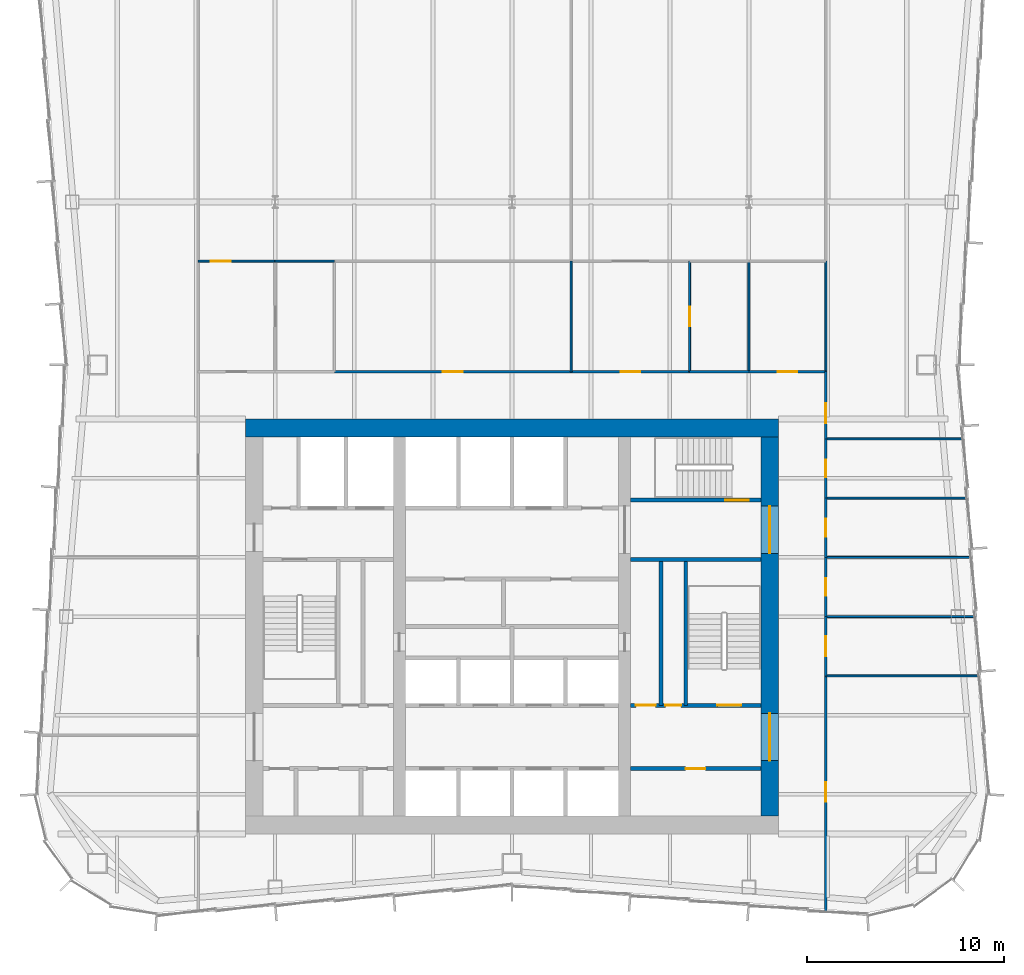
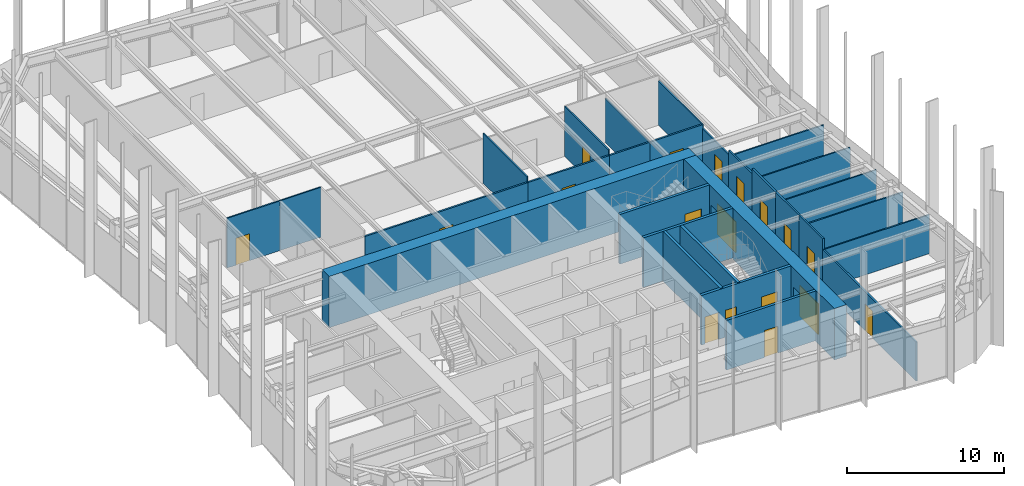
# One storey, part 11 of 13: 29 walls, 18 doors, 18 openings.
"""IFC4 building model written with IfcOpenShell, lengths in metres."""

from ifc_helpers import new_model, si_unit, direction, frame, frame_2d, origin, place, context, subcontext, project, spatial, rectangle, extrude, material, layer, layer_set, type_object, element, fill, save


model = new_model("IFC4")

# Units and contexts
model_context = context("Model", 3, precision=1e-05, world=origin(), true_north=direction((0.0, 1.0)))
body_context = subcontext(model_context, "Body", "Model", "MODEL_VIEW")
ifc_project = project(units=[si_unit("LENGTHUNIT", "METRE"), si_unit("AREAUNIT", "SQUARE_METRE"), si_unit("VOLUMEUNIT", "CUBIC_METRE"), si_unit("PLANEANGLEUNIT", "RADIAN"), si_unit("MASSUNIT", "GRAM", prefix="KILO")], contexts=[model_context])

# Site, building, storey
site_placement = place(None, origin())
site = spatial("IfcSite", under=ifc_project, at=site_placement, CompositionType="ELEMENT")
building_placement = place(site_placement, origin())
building = spatial("IfcBuilding", under=site, at=building_placement, Name="Verdant Reach Tower", CompositionType="ELEMENT")
storey_placement = place(building_placement, frame((0.0, 0.0, 206.0)))
storey = spatial("IfcBuildingStorey", under=building, at=storey_placement, Name="L47", CompositionType="ELEMENT", Elevation=206.0)

# Wall, opening, door
ifc_material_1 = material(Name="Gypsum board on steel studs", Category="steel")
ifc_layer_1 = layer(ifc_material_1, 0.199951171875)
ifc_layer_set_1 = layer_set([ifc_layer_1], Name="CO-WALL-ROOM")
wall_type_1 = type_object("IfcWallType", Name="CO-WALL-ROOM", PredefinedType="PARTITIONING", material=ifc_layer_set_1)
wall_1_placement = place(storey_placement, frame((6.0, 20.800048828125, 0.0), z_axis=(0.0, 0.0, 1.0), x_axis=(1.0, 0.0, 0.0)))
wall_1 = element("IfcWall", 1, at=wall_1_placement, inside=storey, type_object=wall_type_1, Name="Core partition, L47", PredefinedType="PARTITIONING", context=body_context, shape_type="SweptSolid", body=[
    extrude(rectangle(XDim=6.60009765625, YDim=0.199951171875, at=frame_2d((3.300048828125, 0.0))), origin(), (0.0, 0.0, 1.0), 3.8701171875),
])
opening_1_placement = place(wall_1_placement, frame((2.800048828125, 0.0, 0.0)))
opening_1 = element("IfcOpeningElement", 2, at=opening_1_placement, cuts=wall_1, Name="Opening CD", PredefinedType="OPENING", context=body_context, shape_type="SweptSolid", body=[
    extrude(rectangle(XDim=1.0, YDim=2.10009765625, at=frame_2d((0.5, 1.050048828125))), frame((0.0, 0.10986328125, 0.0), z_axis=(0.0, -1.0, 0.0), x_axis=(1.0, 0.0, 0.0)), (0.0, 0.0, 1.0), 0.219970703125),
])
ifc_material_2 = material(Name="Timber", Category="wood")
door_type_1 = type_object("IfcDoorType", Name="CO-DOOR-ROOM", OperationType="NOTDEFINED", PredefinedType="DOOR", material=ifc_material_2)
door_1_placement = place(opening_1_placement, origin())
door_1 = element("IfcDoor", 3, at=door_1_placement, inside=storey, type_object=door_type_1, Name="Core room door, L47", OperationType="SINGLE_SWING_RIGHT", OverallHeight=2.10009765625, OverallWidth=1.0, PredefinedType="DOOR", context=body_context, shape_type="SweptSolid", body=[
    extrude(rectangle(XDim=1.0, YDim=2.10009765625, at=frame_2d((0.5, 1.050048828125))), frame((0.0, 0.02490234375, 0.0), z_axis=(0.0, -1.0, 0.0), x_axis=(1.0, 0.0, 0.0)), (0.0, 0.0, 1.0), 0.050048828125),
])
fill(opening_1, door_1)

# Wall
wall_2_placement = place(storey_placement, frame((7.5400390625, 24.0, 0.0), z_axis=(0.0, 0.0, 1.0), x_axis=(0.0, 1.0, 0.0)))
element("IfcWall", 4, at=wall_2_placement, inside=storey, type_object=wall_type_1, Name="Core partition, L47", PredefinedType="PARTITIONING", context=body_context, shape_type="SweptSolid", body=[
    extrude(rectangle(XDim=7.39990234375, YDim=0.199951171875, at=frame_2d((3.699951171875, 0.0))), origin(), (0.0, 0.0, 1.0), 3.8701171875),
])

# Wall, openings, doors
ifc_material_3 = material(Name="Concrete C40/50", Category="concrete")
ifc_layer_2 = layer(ifc_material_3, 0.199951171875)
ifc_layer_set_2 = layer_set([ifc_layer_2], Name="CO-WALL-STAIR")
wall_type_2 = type_object("IfcWallType", Name="CO-WALL-STAIR", PredefinedType="PARTITIONING", material=ifc_layer_set_2)
wall_3_placement = place(storey_placement, frame((6.0, 24.0, 0.0), z_axis=(0.0, 0.0, 1.0), x_axis=(1.0, 0.0, 0.0)))
wall_3 = element("IfcWall", 5, at=wall_3_placement, inside=storey, type_object=wall_type_2, Name="Stair enclosure wall, L47", PredefinedType="PARTITIONING", context=body_context, shape_type="SweptSolid", body=[
    extrude(rectangle(XDim=6.60009765625, YDim=0.199951171875, at=frame_2d((3.300048828125, 0.0))), origin(), (0.0, 0.0, 1.0), 3.8701171875),
])
opening_2_placement = place(wall_3_placement, frame((0.27001953125, 0.0, 0.0)))
opening_2 = element("IfcOpeningElement", 6, at=opening_2_placement, cuts=wall_3, Name="Opening CD", PredefinedType="OPENING", context=body_context, shape_type="SweptSolid", body=[
    extrude(rectangle(XDim=1.0, YDim=2.10009765625, at=frame_2d((0.5, 1.050048828125))), frame((0.0, 0.10986328125, 0.0), z_axis=(0.0, -1.0, 0.0), x_axis=(1.0, 0.0, 0.0)), (0.0, 0.0, 1.0), 0.219970703125),
])
opening_3_placement = place(wall_3_placement, frame((1.77001953125, 0.0, 0.0)))
opening_3 = element("IfcOpeningElement", 7, at=opening_3_placement, cuts=wall_3, Name="Opening CDN", PredefinedType="OPENING", context=body_context, shape_type="SweptSolid", body=[
    extrude(rectangle(XDim=0.800048828125, YDim=2.10009765625, at=frame_2d((0.39990234375, 1.050048828125))), frame((0.0, 0.10986328125, 0.0), z_axis=(0.0, -1.0, 0.0), x_axis=(1.0, 0.0, 0.0)), (0.0, 0.0, 1.0), 0.219970703125),
])
opening_4_placement = place(wall_3_placement, frame((4.39990234375, 0.0, 0.0)))
opening_4 = element("IfcOpeningElement", 8, at=opening_4_placement, cuts=wall_3, Name="Opening SD", PredefinedType="OPENING", context=body_context, shape_type="SweptSolid", body=[
    extrude(rectangle(XDim=1.199951171875, YDim=2.199951171875, at=frame_2d((0.60009765625, 1.10009765625))), frame((0.0, 0.10986328125, 0.0), z_axis=(0.0, -1.0, 0.0), x_axis=(1.0, 0.0, 0.0)), (0.0, 0.0, 1.0), 0.219970703125),
])
door_2_placement = place(opening_2_placement, origin())
door_2 = element("IfcDoor", 9, at=door_2_placement, inside=storey, type_object=door_type_1, Name="Core room door, L47", OperationType="SINGLE_SWING_RIGHT", OverallHeight=2.10009765625, OverallWidth=1.0, PredefinedType="DOOR", context=body_context, shape_type="SweptSolid", body=[
    extrude(rectangle(XDim=1.0, YDim=2.10009765625, at=frame_2d((0.5, 1.050048828125))), frame((0.0, 0.02490234375, 0.0), z_axis=(0.0, -1.0, 0.0), x_axis=(1.0, 0.0, 0.0)), (0.0, 0.0, 1.0), 0.050048828125),
])
fill(opening_2, door_2)
door_type_2 = type_object("IfcDoorType", Name="CO-DOOR-ROOM-NARROW", OperationType="NOTDEFINED", PredefinedType="DOOR", material=ifc_material_2)
door_3_placement = place(opening_3_placement, origin())
door_3 = element("IfcDoor", 10, at=door_3_placement, inside=storey, type_object=door_type_2, Name="Core room door, L47", OperationType="SINGLE_SWING_LEFT", OverallHeight=2.10009765625, OverallWidth=0.800048828125, PredefinedType="DOOR", context=body_context, shape_type="SweptSolid", body=[
    extrude(rectangle(XDim=0.800048828125, YDim=2.10009765625, at=frame_2d((0.39990234375, 1.050048828125))), frame((0.0, 0.02490234375, 0.0), z_axis=(0.0, -1.0, 0.0), x_axis=(1.0, 0.0, 0.0)), (0.0, 0.0, 1.0), 0.050048828125),
])
fill(opening_3, door_3)
ifc_material_4 = material(Name="Steel", Category="steel")
door_type_3 = type_object("IfcDoorType", Name="CO-DOOR-STAIR", OperationType="NOTDEFINED", PredefinedType="DOOR", material=ifc_material_4)
door_4_placement = place(opening_4_placement, origin())
door_4 = element("IfcDoor", 11, at=door_4_placement, inside=storey, type_object=door_type_3, Name="Stair door, L47", OperationType="SINGLE_SWING_RIGHT", OverallHeight=2.199951171875, OverallWidth=1.199951171875, PredefinedType="DOOR", context=body_context, shape_type="SweptSolid", body=[
    extrude(rectangle(XDim=1.199951171875, YDim=2.199951171875, at=frame_2d((0.60009765625, 1.10009765625))), frame((0.0, 0.02490234375, 0.0), z_axis=(0.0, -1.0, 0.0), x_axis=(1.0, 0.0, 0.0)), (0.0, 0.0, 1.0), 0.050048828125),
])
fill(opening_4, door_4)

# Wall
wall_4_placement = place(storey_placement, frame((6.0, 31.39990234375, 0.0), z_axis=(0.0, 0.0, 1.0), x_axis=(1.0, 0.0, 0.0)))
element("IfcWall", 12, at=wall_4_placement, inside=storey, type_object=wall_type_2, Name="Stair enclosure wall, L47", PredefinedType="PARTITIONING", context=body_context, shape_type="SweptSolid", body=[
    extrude(rectangle(XDim=6.60009765625, YDim=0.199951171875, at=frame_2d((3.300048828125, 0.0))), origin(), (0.0, 0.0, 1.0), 3.8701171875),
])

# Wall, opening, door
wall_5_placement = place(storey_placement, frame((6.0, 34.39990234375, 0.0), z_axis=(0.0, 0.0, 1.0), x_axis=(1.0, 0.0, 0.0)))
wall_5 = element("IfcWall", 13, at=wall_5_placement, inside=storey, type_object=wall_type_2, Name="Stair enclosure wall, L47", PredefinedType="PARTITIONING", context=body_context, shape_type="SweptSolid", body=[
    extrude(rectangle(XDim=6.60009765625, YDim=0.199951171875, at=frame_2d((3.300048828125, 0.0))), origin(), (0.0, 0.0, 1.0), 3.8701171875),
])
opening_5_placement = place(wall_5_placement, frame((4.800048828125, 0.0, 0.0)))
opening_5 = element("IfcOpeningElement", 14, at=opening_5_placement, cuts=wall_5, Name="Opening SD", PredefinedType="OPENING", context=body_context, shape_type="SweptSolid", body=[
    extrude(rectangle(XDim=1.199951171875, YDim=2.199951171875, at=frame_2d((0.60009765625, 1.10009765625))), frame((0.0, 0.10986328125, 0.0), z_axis=(0.0, -1.0, 0.0), x_axis=(1.0, 0.0, 0.0)), (0.0, 0.0, 1.0), 0.219970703125),
])
door_5_placement = place(opening_5_placement, origin())
door_5 = element("IfcDoor", 15, at=door_5_placement, inside=storey, type_object=door_type_3, Name="Stair door, L47", OperationType="SINGLE_SWING_LEFT", OverallHeight=2.199951171875, OverallWidth=1.199951171875, PredefinedType="DOOR", context=body_context, shape_type="SweptSolid", body=[
    extrude(rectangle(XDim=1.199951171875, YDim=2.199951171875, at=frame_2d((0.60009765625, 1.10009765625))), frame((0.0, 0.02490234375, 0.0), z_axis=(0.0, -1.0, 0.0), x_axis=(1.0, 0.0, 0.0)), (0.0, 0.0, 1.0), 0.050048828125),
])
fill(opening_5, door_5)

# Wall
wall_6_placement = place(storey_placement, frame((8.800048828125, 24.0, 0.0), z_axis=(0.0, 0.0, 1.0), x_axis=(0.0, 1.0, 0.0)))
element("IfcWall", 16, at=wall_6_placement, inside=storey, type_object=wall_type_2, Name="Stair enclosure wall, L47", PredefinedType="PARTITIONING", context=body_context, shape_type="SweptSolid", body=[
    extrude(rectangle(XDim=7.39990234375, YDim=0.199951171875, at=frame_2d((3.699951171875, 0.0))), origin(), (0.0, 0.0, 1.0), 3.8701171875),
])

# Wall, opening, door
ifc_layer_3 = layer(ifc_material_1, 0.10009765625)
ifc_layer_set_3 = layer_set([ifc_layer_3], Name="FL-W1 Partition 100")
wall_type_3 = type_object("IfcWallType", Name="FL-W1 Partition 100", PredefinedType="PARTITIONING", material=ifc_layer_set_3)
wall_7_placement = place(storey_placement, frame((-15.89990234375, 46.5, 0.0), z_axis=(0.0, 0.0, 1.0), x_axis=(1.0, 0.0, 0.0)))
wall_7 = element("IfcWall", 17, at=wall_7_placement, inside=storey, type_object=wall_type_3, Name="Partition 47.17", PredefinedType="PARTITIONING", context=body_context, shape_type="SweptSolid", body=[
    extrude(rectangle(XDim=3.90380859375, YDim=0.10009765625, at=frame_2d((1.951904296875, 0.0))), origin(), (0.0, 0.0, 1.0), 3.8701171875),
])
opening_6_placement = place(wall_7_placement, frame((0.652099609375, 0.0, 0.0)))
opening_6 = element("IfcOpeningElement", 18, at=opening_6_placement, cuts=wall_7, Name="Opening D3", PredefinedType="OPENING", context=body_context, shape_type="SweptSolid", body=[
    extrude(rectangle(XDim=1.0, YDim=2.10009765625, at=frame_2d((0.5, 1.050048828125))), frame((0.0, 0.06005859375, 0.0), z_axis=(0.0, -1.0, 0.0), x_axis=(1.0, 0.0, 0.0)), (0.0, 0.0, 1.0), 0.1201171875),
])
ifc_material_5 = material(Name="Painted timber door leaf", Category="wood")
door_type_4 = type_object("IfcDoorType", Name="FL-D3 Door 1000x2100", OperationType="NOTDEFINED", PredefinedType="DOOR", material=ifc_material_5)
door_6_placement = place(opening_6_placement, origin())
door_6 = element("IfcDoor", 19, at=door_6_placement, inside=storey, type_object=door_type_4, Name="Door 47-015", OperationType="SINGLE_SWING_LEFT", OverallHeight=2.10009765625, OverallWidth=1.0, PredefinedType="DOOR", context=body_context, shape_type="SweptSolid", body=[
    extrude(rectangle(XDim=1.0, YDim=2.10009765625, at=frame_2d((0.5, 1.050048828125))), frame((0.0, 0.02490234375, 0.0), z_axis=(0.0, -1.0, 0.0), x_axis=(1.0, 0.0, 0.0)), (0.0, 0.0, 1.0), 0.050048828125),
])
fill(opening_6, door_6)

# Walls
wall_8_placement = place(storey_placement, frame((-8.99609375, 46.5, 0.0), z_axis=(0.0, 0.0, 1.0), x_axis=(-1.0, 0.0, 0.0)))
element("IfcWall", 20, at=wall_8_placement, inside=storey, type_object=wall_type_3, Name="Partition 47.20", PredefinedType="PARTITIONING", context=body_context, shape_type="SweptSolid", body=[
    extrude(rectangle(XDim=3.0078125, YDim=0.10009765625, at=frame_2d((1.50390625, 0.0))), origin(), (0.0, 0.0, 1.0), 3.8701171875),
])
wall_9_placement = place(storey_placement, frame((3.0, 40.89990234375, 0.0), z_axis=(0.0, 0.0, 1.0), x_axis=(0.0, 1.0, 0.0)))
element("IfcWall", 21, at=wall_9_placement, inside=storey, type_object=wall_type_3, Name="Partition 47.22", PredefinedType="PARTITIONING", context=body_context, shape_type="SweptSolid", body=[
    extrude(rectangle(XDim=5.60009765625, YDim=0.10009765625, at=frame_2d((2.800048828125, 0.0))), origin(), (0.0, 0.0, 1.0), 3.8701171875),
])

# Wall, opening, door
wall_10_placement = place(storey_placement, frame((9.0, 46.5, 0.0), z_axis=(0.0, 0.0, 1.0), x_axis=(0.0, -1.0, 0.0)))
wall_10 = element("IfcWall", 22, at=wall_10_placement, inside=storey, type_object=wall_type_3, Name="Partition 47.31", PredefinedType="PARTITIONING", context=body_context, shape_type="SweptSolid", body=[
    extrude(rectangle(XDim=5.60009765625, YDim=0.10009765625, at=frame_2d((2.800048828125, 0.0))), origin(), (0.0, 0.0, 1.0), 3.8701171875),
])
opening_7_placement = place(wall_10_placement, frame((2.300048828125, 0.0, 0.0)))
opening_7 = element("IfcOpeningElement", 23, at=opening_7_placement, cuts=wall_10, Name="Opening D3", PredefinedType="OPENING", context=body_context, shape_type="SweptSolid", body=[
    extrude(rectangle(XDim=1.0, YDim=2.10009765625, at=frame_2d((0.5, 1.050048828125))), frame((0.0, 0.06005859375, 0.0), z_axis=(0.0, -1.0, 0.0), x_axis=(1.0, 0.0, 0.0)), (0.0, 0.0, 1.0), 0.1201171875),
])
door_7_placement = place(opening_7_placement, origin())
door_7 = element("IfcDoor", 24, at=door_7_placement, inside=storey, type_object=door_type_4, Name="Door 47-018", OperationType="SINGLE_SWING_RIGHT", OverallHeight=2.10009765625, OverallWidth=1.0, PredefinedType="DOOR", context=body_context, shape_type="SweptSolid", body=[
    extrude(rectangle(XDim=1.0, YDim=2.10009765625, at=frame_2d((0.5, 1.050048828125))), frame((0.0, 0.02490234375, 0.0), z_axis=(0.0, -1.0, 0.0), x_axis=(1.0, 0.0, 0.0)), (0.0, 0.0, 1.0), 0.050048828125),
])
fill(opening_7, door_7)

# Walls
wall_11_placement = place(storey_placement, frame((12.0, 40.89990234375, 0.0), z_axis=(0.0, 0.0, 1.0), x_axis=(0.0, 1.0, 0.0)))
element("IfcWall", 25, at=wall_11_placement, inside=storey, type_object=wall_type_3, Name="Partition 47.33", PredefinedType="PARTITIONING", context=body_context, shape_type="SweptSolid", body=[
    extrude(rectangle(XDim=5.60009765625, YDim=0.10009765625, at=frame_2d((2.800048828125, 0.0))), origin(), (0.0, 0.0, 1.0), 3.43994140625),
])
wall_12_placement = place(storey_placement, frame((15.89990234375, 40.89599609375, 0.0), z_axis=(0.0, 0.0, 1.0), x_axis=(0.0, 1.0, 0.0)))
element("IfcWall", 26, at=wall_12_placement, inside=storey, type_object=wall_type_3, Name="Partition 47.36", PredefinedType="PARTITIONING", context=body_context, shape_type="SweptSolid", body=[
    extrude(rectangle(XDim=5.60791015625, YDim=0.10009765625, at=frame_2d((2.803955078125, 0.0))), origin(), (0.0, 0.0, 1.0), 3.43994140625),
])
wall_13_placement = place(storey_placement, frame((23.666259765625, 25.5, 0.0), z_axis=(0.0, 0.0, 1.0), x_axis=(-1.0, 0.0, 0.0)))
element("IfcWall", 27, at=wall_13_placement, inside=storey, type_object=wall_type_3, Name="Partition 47.42", PredefinedType="PARTITIONING", context=body_context, shape_type="SweptSolid", body=[
    extrude(rectangle(XDim=7.766357421875, YDim=0.10009765625, at=frame_2d((3.88330078125, 0.0))), origin(), (0.0, 0.0, 1.0), 3.0400390625),
])
wall_14_placement = place(storey_placement, frame((23.459228515625, 28.5, 0.0), z_axis=(0.0, 0.0, 1.0), x_axis=(-1.0, 0.0, 0.0)))
element("IfcWall", 28, at=wall_14_placement, inside=storey, type_object=wall_type_3, Name="Partition 47.43", PredefinedType="PARTITIONING", context=body_context, shape_type="SweptSolid", body=[
    extrude(rectangle(XDim=7.559326171875, YDim=0.10009765625, at=frame_2d((3.77978515625, 0.0))), origin(), (0.0, 0.0, 1.0), 3.0400390625),
])
wall_15_placement = place(storey_placement, frame((23.25244140625, 31.5, 0.0), z_axis=(0.0, 0.0, 1.0), x_axis=(-1.0, 0.0, 0.0)))
element("IfcWall", 29, at=wall_15_placement, inside=storey, type_object=wall_type_3, Name="Partition 47.44", PredefinedType="PARTITIONING", context=body_context, shape_type="SweptSolid", body=[
    extrude(rectangle(XDim=7.3525390625, YDim=0.10009765625, at=frame_2d((3.67626953125, 0.0))), origin(), (0.0, 0.0, 1.0), 3.0400390625),
])
wall_16_placement = place(storey_placement, frame((23.04541015625, 34.5, 0.0), z_axis=(0.0, 0.0, 1.0), x_axis=(-1.0, 0.0, 0.0)))
element("IfcWall", 30, at=wall_16_placement, inside=storey, type_object=wall_type_3, Name="Partition 47.45", PredefinedType="PARTITIONING", context=body_context, shape_type="SweptSolid", body=[
    extrude(rectangle(XDim=7.1455078125, YDim=0.10009765625, at=frame_2d((3.57275390625, 0.0))), origin(), (0.0, 0.0, 1.0), 3.0400390625),
])
wall_17_placement = place(storey_placement, frame((22.838623046875, 37.5, 0.0), z_axis=(0.0, 0.0, 1.0), x_axis=(-1.0, 0.0, 0.0)))
element("IfcWall", 31, at=wall_17_placement, inside=storey, type_object=wall_type_3, Name="Partition 47.46", PredefinedType="PARTITIONING", context=body_context, shape_type="SweptSolid", body=[
    extrude(rectangle(XDim=6.938720703125, YDim=0.10009765625, at=frame_2d((3.46923828125, 0.0))), origin(), (0.0, 0.0, 1.0), 3.0400390625),
])

# Wall, opening, door
ifc_material_6 = material(Name="Gypsum board on steel studs, fire rated", Category="steel")
ifc_layer_4 = layer(ifc_material_6, 0.125)
ifc_layer_set_4 = layer_set([ifc_layer_4], Name="FL-W2 Corridor wall 125")
wall_type_4 = type_object("IfcWallType", Name="FL-W2 Corridor wall 125", PredefinedType="PARTITIONING", material=ifc_layer_set_4)
wall_18_placement = place(storey_placement, frame((-9.0, 40.89990234375, 0.0), z_axis=(0.0, 0.0, 1.0), x_axis=(1.0, 0.0, 0.0)))
wall_18 = element("IfcWall", 32, at=wall_18_placement, inside=storey, type_object=wall_type_4, Name="Partition 47.03", PredefinedType="PARTITIONING", context=body_context, shape_type="SweptSolid", body=[
    extrude(rectangle(XDim=12.0, YDim=0.125, at=frame_2d((6.0, 0.0))), origin(), (0.0, 0.0, 1.0), 3.43994140625),
])
opening_8_placement = place(wall_18_placement, frame((5.5, 0.0, 0.0)))
opening_8 = element("IfcOpeningElement", 33, at=opening_8_placement, cuts=wall_18, Name="Opening D2", PredefinedType="OPENING", context=body_context, shape_type="SweptSolid", body=[
    extrude(rectangle(XDim=1.0, YDim=2.10009765625, at=frame_2d((0.5, 1.050048828125))), frame((0.0, 0.072509765625, 0.0), z_axis=(0.0, -1.0, 0.0), x_axis=(1.0, 0.0, 0.0)), (0.0, 0.0, 1.0), 0.14501953125),
])
ifc_material_7 = material(Name="Timber door leaf, fire rated", Category="wood")
door_type_5 = type_object("IfcDoorType", Name="FL-D2 Entrance door 1000x2100 FD30", OperationType="NOTDEFINED", PredefinedType="DOOR", material=ifc_material_7)
door_8_placement = place(opening_8_placement, origin())
door_8 = element("IfcDoor", 34, at=door_8_placement, inside=storey, type_object=door_type_5, Name="Door 47-002", OperationType="SINGLE_SWING_RIGHT", OverallHeight=2.10009765625, OverallWidth=1.0, PredefinedType="DOOR", context=body_context, shape_type="SweptSolid", body=[
    extrude(rectangle(XDim=1.0, YDim=2.10009765625, at=frame_2d((0.5, 1.050048828125))), frame((0.0, 0.02490234375, 0.0), z_axis=(0.0, -1.0, 0.0), x_axis=(1.0, 0.0, 0.0)), (0.0, 0.0, 1.0), 0.050048828125),
])
fill(opening_8, door_8)

wall_19_placement = place(storey_placement, frame((3.0, 40.89990234375, 0.0), z_axis=(0.0, 0.0, 1.0), x_axis=(1.0, 0.0, 0.0)))
wall_19 = element("IfcWall", 35, at=wall_19_placement, inside=storey, type_object=wall_type_4, Name="Partition 47.04", PredefinedType="PARTITIONING", context=body_context, shape_type="SweptSolid", body=[
    extrude(rectangle(XDim=6.0, YDim=0.125, at=frame_2d((3.0, 0.0))), origin(), (0.0, 0.0, 1.0), 3.43994140625),
])
opening_9_placement = place(wall_19_placement, frame((2.5, 0.0, 0.0)))
opening_9 = element("IfcOpeningElement", 36, at=opening_9_placement, cuts=wall_19, Name="Opening D2", PredefinedType="OPENING", context=body_context, shape_type="SweptSolid", body=[
    extrude(rectangle(XDim=1.0, YDim=2.10009765625, at=frame_2d((0.5, 1.050048828125))), frame((0.0, 0.072509765625, 0.0), z_axis=(0.0, -1.0, 0.0), x_axis=(1.0, 0.0, 0.0)), (0.0, 0.0, 1.0), 0.14501953125),
])
door_9_placement = place(opening_9_placement, origin())
door_9 = element("IfcDoor", 37, at=door_9_placement, inside=storey, type_object=door_type_5, Name="Door 47-003", OperationType="SINGLE_SWING_LEFT", OverallHeight=2.10009765625, OverallWidth=1.0, PredefinedType="DOOR", context=body_context, shape_type="SweptSolid", body=[
    extrude(rectangle(XDim=1.0, YDim=2.10009765625, at=frame_2d((0.5, 1.050048828125))), frame((0.0, 0.02490234375, 0.0), z_axis=(0.0, -1.0, 0.0), x_axis=(1.0, 0.0, 0.0)), (0.0, 0.0, 1.0), 0.050048828125),
])
fill(opening_9, door_9)

# Wall
wall_20_placement = place(storey_placement, frame((12.0, 40.89990234375, 0.0), z_axis=(0.0, 0.0, 1.0), x_axis=(-1.0, 0.0, 0.0)))
element("IfcWall", 38, at=wall_20_placement, inside=storey, type_object=wall_type_4, Name="Partition 47.05", PredefinedType="PARTITIONING", context=body_context, shape_type="SweptSolid", body=[
    extrude(rectangle(XDim=3.0, YDim=0.125, at=frame_2d((1.5, 0.0))), origin(), (0.0, 0.0, 1.0), 3.43994140625),
])

# Wall, opening, door
wall_21_placement = place(storey_placement, frame((12.0, 40.89990234375, 0.0), z_axis=(0.0, 0.0, 1.0), x_axis=(1.0, 0.0, 0.0)))
wall_21 = element("IfcWall", 39, at=wall_21_placement, inside=storey, type_object=wall_type_4, Name="Partition 47.06", PredefinedType="PARTITIONING", context=body_context, shape_type="SweptSolid", body=[
    extrude(rectangle(XDim=3.89990234375, YDim=0.125, at=frame_2d((1.949951171875, 0.0))), origin(), (0.0, 0.0, 1.0), 3.43994140625),
])
opening_10_placement = place(wall_21_placement, frame((1.449951171875, 0.0, 0.0)))
opening_10 = element("IfcOpeningElement", 40, at=opening_10_placement, cuts=wall_21, Name="Opening D2", PredefinedType="OPENING", context=body_context, shape_type="SweptSolid", body=[
    extrude(rectangle(XDim=1.0, YDim=2.10009765625, at=frame_2d((0.5, 1.050048828125))), frame((0.0, 0.072509765625, 0.0), z_axis=(0.0, -1.0, 0.0), x_axis=(1.0, 0.0, 0.0)), (0.0, 0.0, 1.0), 0.14501953125),
])
door_10_placement = place(opening_10_placement, origin())
door_10 = element("IfcDoor", 41, at=door_10_placement, inside=storey, type_object=door_type_5, Name="Door 47-004", OperationType="SINGLE_SWING_RIGHT", OverallHeight=2.10009765625, OverallWidth=1.0, PredefinedType="DOOR", context=body_context, shape_type="SweptSolid", body=[
    extrude(rectangle(XDim=1.0, YDim=2.10009765625, at=frame_2d((0.5, 1.050048828125))), frame((0.0, 0.02490234375, 0.0), z_axis=(0.0, -1.0, 0.0), x_axis=(1.0, 0.0, 0.0)), (0.0, 0.0, 1.0), 0.050048828125),
])
fill(opening_10, door_10)

wall_22_placement = place(storey_placement, frame((15.89990234375, 25.5, 0.0), z_axis=(0.0, 0.0, 1.0), x_axis=(0.0, -1.0, 0.0)))
wall_22 = element("IfcWall", 42, at=wall_22_placement, inside=storey, type_object=wall_type_4, Name="Partition 47.10", PredefinedType="PARTITIONING", context=body_context, shape_type="SweptSolid", body=[
    extrude(rectangle(XDim=11.905029296875, YDim=0.125, at=frame_2d((5.95263671875, 0.0))), origin(), (0.0, 0.0, 1.0), 3.0400390625),
])
opening_11_placement = place(wall_22_placement, frame((5.387451171875, 0.0, 0.0)))
opening_11 = element("IfcOpeningElement", 43, at=opening_11_placement, cuts=wall_22, Name="Opening D2", PredefinedType="OPENING", context=body_context, shape_type="SweptSolid", body=[
    extrude(rectangle(XDim=1.0, YDim=2.10009765625, at=frame_2d((0.5, 1.050048828125))), frame((0.0, 0.072509765625, 0.0), z_axis=(0.0, -1.0, 0.0), x_axis=(1.0, 0.0, 0.0)), (0.0, 0.0, 1.0), 0.14501953125),
])
door_11_placement = place(opening_11_placement, origin())
door_11 = element("IfcDoor", 44, at=door_11_placement, inside=storey, type_object=door_type_5, Name="Door 47-008", OperationType="SINGLE_SWING_LEFT", OverallHeight=2.10009765625, OverallWidth=1.0, PredefinedType="DOOR", context=body_context, shape_type="SweptSolid", body=[
    extrude(rectangle(XDim=1.0, YDim=2.10009765625, at=frame_2d((0.5, 1.050048828125))), frame((0.0, 0.02490234375, 0.0), z_axis=(0.0, -1.0, 0.0), x_axis=(1.0, 0.0, 0.0)), (0.0, 0.0, 1.0), 0.050048828125),
])
fill(opening_11, door_11)

wall_23_placement = place(storey_placement, frame((15.89990234375, 28.5, 0.0), z_axis=(0.0, 0.0, 1.0), x_axis=(0.0, -1.0, 0.0)))
wall_23 = element("IfcWall", 45, at=wall_23_placement, inside=storey, type_object=wall_type_4, Name="Partition 47.11", PredefinedType="PARTITIONING", context=body_context, shape_type="SweptSolid", body=[
    extrude(rectangle(XDim=3.0, YDim=0.125, at=frame_2d((1.5, 0.0))), origin(), (0.0, 0.0, 1.0), 3.8701171875),
])
opening_12_placement = place(wall_23_placement, frame((1.0, 0.0, 0.0)))
opening_12 = element("IfcOpeningElement", 46, at=opening_12_placement, cuts=wall_23, Name="Opening D2", PredefinedType="OPENING", context=body_context, shape_type="SweptSolid", body=[
    extrude(rectangle(XDim=1.0, YDim=2.10009765625, at=frame_2d((0.5, 1.050048828125))), frame((0.0, 0.072509765625, 0.0), z_axis=(0.0, -1.0, 0.0), x_axis=(1.0, 0.0, 0.0)), (0.0, 0.0, 1.0), 0.14501953125),
])
door_12_placement = place(opening_12_placement, origin())
door_12 = element("IfcDoor", 47, at=door_12_placement, inside=storey, type_object=door_type_5, Name="Door 47-009", OperationType="SINGLE_SWING_LEFT", OverallHeight=2.10009765625, OverallWidth=1.0, PredefinedType="DOOR", context=body_context, shape_type="SweptSolid", body=[
    extrude(rectangle(XDim=1.0, YDim=2.10009765625, at=frame_2d((0.5, 1.050048828125))), frame((0.0, 0.02490234375, 0.0), z_axis=(0.0, -1.0, 0.0), x_axis=(1.0, 0.0, 0.0)), (0.0, 0.0, 1.0), 0.050048828125),
])
fill(opening_12, door_12)

wall_24_placement = place(storey_placement, frame((15.89990234375, 31.5, 0.0), z_axis=(0.0, 0.0, 1.0), x_axis=(0.0, -1.0, 0.0)))
wall_24 = element("IfcWall", 48, at=wall_24_placement, inside=storey, type_object=wall_type_4, Name="Partition 47.12", PredefinedType="PARTITIONING", context=body_context, shape_type="SweptSolid", body=[
    extrude(rectangle(XDim=3.0, YDim=0.125, at=frame_2d((1.5, 0.0))), origin(), (0.0, 0.0, 1.0), 3.8701171875),
])
opening_13_placement = place(wall_24_placement, frame((1.050048828125, 0.0, 0.0)))
opening_13 = element("IfcOpeningElement", 49, at=opening_13_placement, cuts=wall_24, Name="Opening D1", PredefinedType="OPENING", context=body_context, shape_type="SweptSolid", body=[
    extrude(rectangle(XDim=0.89990234375, YDim=2.10009765625, at=frame_2d((0.449951171875, 1.050048828125))), frame((0.0, 0.072509765625, 0.0), z_axis=(0.0, -1.0, 0.0), x_axis=(1.0, 0.0, 0.0)), (0.0, 0.0, 1.0), 0.14501953125),
])
door_type_6 = type_object("IfcDoorType", Name="FL-D1 Door 900x2100", OperationType="NOTDEFINED", PredefinedType="DOOR", material=ifc_material_5)
door_13_placement = place(opening_13_placement, origin())
door_13 = element("IfcDoor", 50, at=door_13_placement, inside=storey, type_object=door_type_6, Name="Door 47-010", OperationType="SINGLE_SWING_RIGHT", OverallHeight=2.10009765625, OverallWidth=0.89990234375, PredefinedType="DOOR", context=body_context, shape_type="SweptSolid", body=[
    extrude(rectangle(XDim=0.89990234375, YDim=2.10009765625, at=frame_2d((0.449951171875, 1.050048828125))), frame((0.0, 0.02490234375, 0.0), z_axis=(0.0, -1.0, 0.0), x_axis=(1.0, 0.0, 0.0)), (0.0, 0.0, 1.0), 0.050048828125),
])
fill(opening_13, door_13)

wall_25_placement = place(storey_placement, frame((15.89990234375, 34.5, 0.0), z_axis=(0.0, 0.0, 1.0), x_axis=(0.0, -1.0, 0.0)))
wall_25 = element("IfcWall", 51, at=wall_25_placement, inside=storey, type_object=wall_type_4, Name="Partition 47.13", PredefinedType="PARTITIONING", context=body_context, shape_type="SweptSolid", body=[
    extrude(rectangle(XDim=3.0, YDim=0.125, at=frame_2d((1.5, 0.0))), origin(), (0.0, 0.0, 1.0), 3.8701171875),
])
opening_14_placement = place(wall_25_placement, frame((1.050048828125, 0.0, 0.0)))
opening_14 = element("IfcOpeningElement", 52, at=opening_14_placement, cuts=wall_25, Name="Opening D1", PredefinedType="OPENING", context=body_context, shape_type="SweptSolid", body=[
    extrude(rectangle(XDim=0.89990234375, YDim=2.10009765625, at=frame_2d((0.449951171875, 1.050048828125))), frame((0.0, 0.072509765625, 0.0), z_axis=(0.0, -1.0, 0.0), x_axis=(1.0, 0.0, 0.0)), (0.0, 0.0, 1.0), 0.14501953125),
])
door_14_placement = place(opening_14_placement, origin())
door_14 = element("IfcDoor", 53, at=door_14_placement, inside=storey, type_object=door_type_6, Name="Door 47-011", OperationType="SINGLE_SWING_LEFT", OverallHeight=2.10009765625, OverallWidth=0.89990234375, PredefinedType="DOOR", context=body_context, shape_type="SweptSolid", body=[
    extrude(rectangle(XDim=0.89990234375, YDim=2.10009765625, at=frame_2d((0.449951171875, 1.050048828125))), frame((0.0, 0.02490234375, 0.0), z_axis=(0.0, -1.0, 0.0), x_axis=(1.0, 0.0, 0.0)), (0.0, 0.0, 1.0), 0.050048828125),
])
fill(opening_14, door_14)

wall_26_placement = place(storey_placement, frame((15.89990234375, 37.5, 0.0), z_axis=(0.0, 0.0, 1.0), x_axis=(0.0, -1.0, 0.0)))
wall_26 = element("IfcWall", 54, at=wall_26_placement, inside=storey, type_object=wall_type_4, Name="Partition 47.14", PredefinedType="PARTITIONING", context=body_context, shape_type="SweptSolid", body=[
    extrude(rectangle(XDim=3.0, YDim=0.125, at=frame_2d((1.5, 0.0))), origin(), (0.0, 0.0, 1.0), 3.47998046875),
])
opening_15_placement = place(wall_26_placement, frame((1.050048828125, 0.0, 0.0)))
opening_15 = element("IfcOpeningElement", 55, at=opening_15_placement, cuts=wall_26, Name="Opening D1", PredefinedType="OPENING", context=body_context, shape_type="SweptSolid", body=[
    extrude(rectangle(XDim=0.89990234375, YDim=2.10009765625, at=frame_2d((0.449951171875, 1.050048828125))), frame((0.0, 0.072509765625, 0.0), z_axis=(0.0, -1.0, 0.0), x_axis=(1.0, 0.0, 0.0)), (0.0, 0.0, 1.0), 0.14501953125),
])
door_15_placement = place(opening_15_placement, origin())
door_15 = element("IfcDoor", 56, at=door_15_placement, inside=storey, type_object=door_type_6, Name="Door 47-012", OperationType="SINGLE_SWING_RIGHT", OverallHeight=2.10009765625, OverallWidth=0.89990234375, PredefinedType="DOOR", context=body_context, shape_type="SweptSolid", body=[
    extrude(rectangle(XDim=0.89990234375, YDim=2.10009765625, at=frame_2d((0.449951171875, 1.050048828125))), frame((0.0, 0.02490234375, 0.0), z_axis=(0.0, -1.0, 0.0), x_axis=(1.0, 0.0, 0.0)), (0.0, 0.0, 1.0), 0.050048828125),
])
fill(opening_15, door_15)

wall_27_placement = place(storey_placement, frame((15.89990234375, 40.904052734375, 0.0), z_axis=(0.0, 0.0, 1.0), x_axis=(0.0, -1.0, 0.0)))
wall_27 = element("IfcWall", 57, at=wall_27_placement, inside=storey, type_object=wall_type_4, Name="Partition 47.15", PredefinedType="PARTITIONING", context=body_context, shape_type="SweptSolid", body=[
    extrude(rectangle(XDim=3.404052734375, YDim=0.125, at=frame_2d((1.7021484375, 0.0))), origin(), (0.0, 0.0, 1.0), 3.139892578125),
])
opening_16_placement = place(wall_27_placement, frame((1.60205078125, 0.0, 0.0)))
opening_16 = element("IfcOpeningElement", 58, at=opening_16_placement, cuts=wall_27, Name="Opening D2", PredefinedType="OPENING", context=body_context, shape_type="SweptSolid", body=[
    extrude(rectangle(XDim=1.0, YDim=2.10009765625, at=frame_2d((0.5, 1.050048828125))), frame((0.0, 0.072509765625, 0.0), z_axis=(0.0, -1.0, 0.0), x_axis=(1.0, 0.0, 0.0)), (0.0, 0.0, 1.0), 0.14501953125),
])
door_16_placement = place(opening_16_placement, origin())
door_16 = element("IfcDoor", 59, at=door_16_placement, inside=storey, type_object=door_type_5, Name="Door 47-013", OperationType="SINGLE_SWING_RIGHT", OverallHeight=2.10009765625, OverallWidth=1.0, PredefinedType="DOOR", context=body_context, shape_type="SweptSolid", body=[
    extrude(rectangle(XDim=1.0, YDim=2.10009765625, at=frame_2d((0.5, 1.050048828125))), frame((0.0, 0.02490234375, 0.0), z_axis=(0.0, -1.0, 0.0), x_axis=(1.0, 0.0, 0.0)), (0.0, 0.0, 1.0), 0.050048828125),
])
fill(opening_16, door_16)

# Wall
ifc_material_8 = material(Name="Concrete C70/85", Category="concrete")
ifc_layer_5 = layer(ifc_material_8, 0.89990234375)
ifc_layer_set_5 = layer_set([ifc_layer_5], Name="ST-CORE-WALL-900")
wall_type_5 = type_object("IfcWallType", Name="ST-CORE-WALL-900", PredefinedType="SHEAR", material=ifc_layer_set_5)
wall_28_placement = place(storey_placement, frame((-13.5, 38.050048828125, -0.1298828125), z_axis=(0.0, 0.0, 1.0), x_axis=(1.0, 0.0, 0.0)))
element("IfcWall", 60, at=wall_28_placement, inside=storey, type_object=wall_type_5, Name="Core wall N, L47", PredefinedType="SHEAR", context=body_context, shape_type="SweptSolid", body=[
    extrude(rectangle(XDim=27.0, YDim=0.89990234375, at=frame_2d((13.5, 0.0))), origin(), (0.0, 0.0, 1.0), 4.0),
])

# Wall, openings, doors
wall_29_placement = place(storey_placement, frame((13.050048828125, 18.39990234375, -0.1298828125), z_axis=(0.0, 0.0, 1.0), x_axis=(0.0, 1.0, 0.0)))
wall_29 = element("IfcWall", 61, at=wall_29_placement, inside=storey, type_object=wall_type_5, Name="Core wall E, L47", PredefinedType="SHEAR", context=body_context, shape_type="SweptSolid", body=[
    extrude(rectangle(XDim=19.2001953125, YDim=0.89990234375, at=frame_2d((9.60009765625, 0.0))), origin(), (0.0, 0.0, 1.0), 4.0),
])
opening_17_placement = place(wall_29_placement, frame((2.800048828125, 0.0, 0.1298828125)))
opening_17 = element("IfcOpeningElement", 62, at=opening_17_placement, cuts=wall_29, Name="Opening LB", PredefinedType="OPENING", context=body_context, shape_type="SweptSolid", body=[
    extrude(rectangle(XDim=2.39990234375, YDim=2.39990234375, at=frame_2d((1.199951171875, 1.199951171875))), frame((0.0, 0.4599609375, 0.0), z_axis=(0.0, -1.0, 0.0), x_axis=(1.0, 0.0, 0.0)), (0.0, 0.0, 1.0), 0.919921875),
])
opening_18_placement = place(wall_29_placement, frame((13.300048828125, 0.0, 0.1298828125)))
opening_18 = element("IfcOpeningElement", 63, at=opening_18_placement, cuts=wall_29, Name="Opening LB", PredefinedType="OPENING", context=body_context, shape_type="SweptSolid", body=[
    extrude(rectangle(XDim=2.39990234375, YDim=2.39990234375, at=frame_2d((1.199951171875, 1.199951171875))), frame((0.0, 0.4599609375, 0.0), z_axis=(0.0, -1.0, 0.0), x_axis=(1.0, 0.0, 0.0)), (0.0, 0.0, 1.0), 0.919921875),
])
ifc_material_9 = material(Name="Glass and steel", Category="steel")
door_type_7 = type_object("IfcDoorType", Name="CO-DOOR-LOBBY", OperationType="DOUBLE_DOOR_SINGLE_SWING", PredefinedType="DOOR", material=ifc_material_9)
door_17_placement = place(opening_17_placement, origin())
door_17 = element("IfcDoor", 64, at=door_17_placement, inside=storey, type_object=door_type_7, Name="Core entrance door, L47", OperationType="DOUBLE_DOOR_SINGLE_SWING", OverallHeight=2.39990234375, OverallWidth=2.39990234375, PredefinedType="DOOR", context=body_context, shape_type="SweptSolid", body=[
    extrude(rectangle(XDim=2.39990234375, YDim=2.39990234375, at=frame_2d((1.199951171875, 1.199951171875))), frame((0.0, 0.02490234375, 0.0), z_axis=(0.0, -1.0, 0.0), x_axis=(1.0, 0.0, 0.0)), (0.0, 0.0, 1.0), 0.050048828125),
])
fill(opening_17, door_17)
door_18_placement = place(opening_18_placement, origin())
door_18 = element("IfcDoor", 65, at=door_18_placement, inside=storey, type_object=door_type_7, Name="Core entrance door, L47", OperationType="DOUBLE_DOOR_SINGLE_SWING", OverallHeight=2.39990234375, OverallWidth=2.39990234375, PredefinedType="DOOR", context=body_context, shape_type="SweptSolid", body=[
    extrude(rectangle(XDim=2.39990234375, YDim=2.39990234375, at=frame_2d((1.199951171875, 1.199951171875))), frame((0.0, 0.02490234375, 0.0), z_axis=(0.0, -1.0, 0.0), x_axis=(1.0, 0.0, 0.0)), (0.0, 0.0, 1.0), 0.050048828125),
])
fill(opening_18, door_18)

save(model, "model.ifc")
